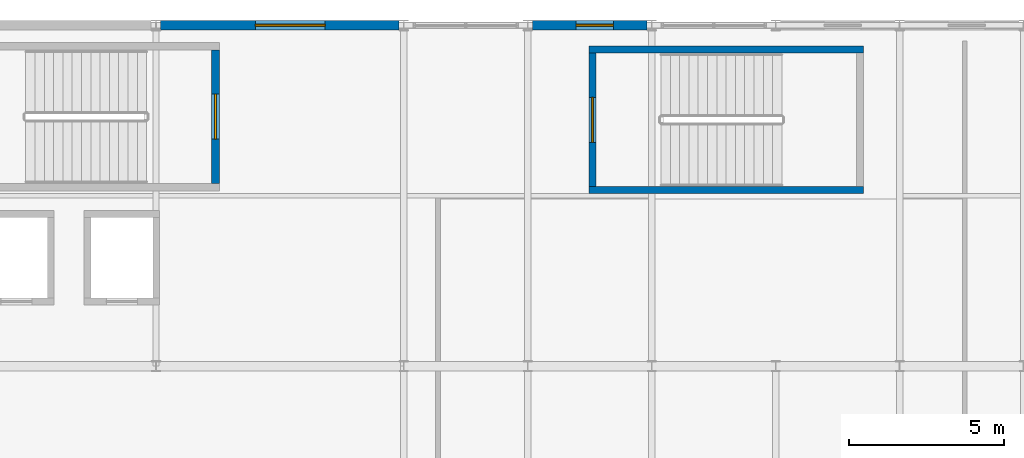
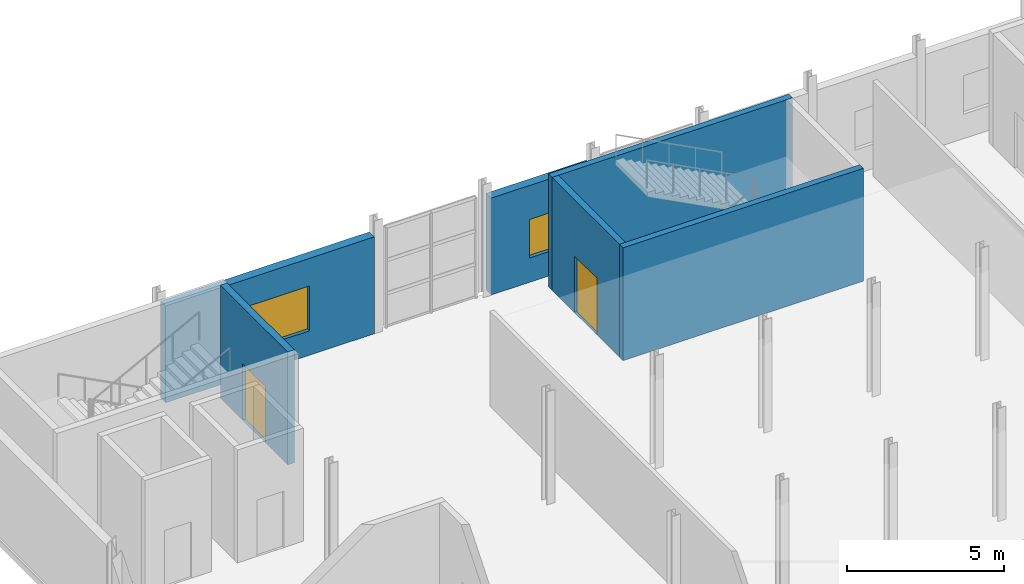
# One storey, part 140 of 153: 6 walls, 2 doors, 2 windows, 4 openings.
"""IFC4 building model written with IfcOpenShell, lengths in metres."""

from ifc_helpers import new_model, si_unit, derived_unit, direction, frame, frame_2d, origin, place, context, subcontext, project, spatial, rectangle, extrude, material, layer, layer_set, type_object, element, fill, save


model = new_model("IFC4")

# Units and contexts
model_context = context("Model", 3, precision=1e-05, world=origin(), true_north=direction((0.0, 1.0)))
body_context = subcontext(model_context, "Body", "Model", "MODEL_VIEW")
ifc_project = project(units=[si_unit("LENGTHUNIT", "METRE"), si_unit("AREAUNIT", "SQUARE_METRE"), si_unit("VOLUMEUNIT", "CUBIC_METRE"), si_unit("PLANEANGLEUNIT", "RADIAN"), si_unit("MASSUNIT", "GRAM", prefix="KILO"), derived_unit("THERMALTRANSMITTANCEUNIT", [(si_unit("POWERUNIT", "WATT"), 1), (si_unit("LENGTHUNIT", "METRE"), -2), (si_unit("THERMODYNAMICTEMPERATUREUNIT", "KELVIN"), -1)])], contexts=[model_context])

# Site, building, storey
site_placement = place(None, origin())
site = spatial("IfcSite", under=ifc_project, at=site_placement, CompositionType="ELEMENT")
building_placement = place(site_placement, origin())
building = spatial("IfcBuilding", under=site, at=building_placement, Name="Keldorne Ridge Multi-Sports Centre", CompositionType="ELEMENT")
storey_placement = place(building_placement, frame((0.0, 0.0, 9.60009765625)))
storey = spatial("IfcBuildingStorey", under=building, at=storey_placement, Name="L02", CompositionType="ELEMENT", Elevation=9.60009765625)

# Wall, opening, window
ifc_material_1 = material(Name="Precast concrete C40/50", Category="concrete")
ifc_layer_1 = layer(ifc_material_1, 0.320068359375)
ifc_layer_set_1 = layer_set([ifc_layer_1], Name="Precast concrete C40/50")
wall_type_1 = type_object("IfcWallType", Name="WAL-PR-W1", PredefinedType="STANDARD", material=ifc_layer_set_1)
wall_1_placement = place(storey_placement, frame((119.847900390625, 117.0, 0.0), z_axis=(0.0, 0.0, 1.0), x_axis=(-1.0, 0.0, 0.0)))
wall_1 = element("IfcWall", 1, at=wall_1_placement, inside=storey, type_object=wall_type_1, Name="East Wing L02 north facade 2", PredefinedType="STANDARD", context=body_context, shape_type="SweptSolid", body=[
    extrude(rectangle(XDim=7.69580078125, YDim=0.320068359375, at=frame_2d((3.847900390625, 0.0))), origin(), (0.0, 0.0, 1.0), 3.77490234375),
])
opening_1_placement = place(wall_1_placement, frame((2.387939453125, 0.0, 0.949951171875)))
opening_1 = element("IfcOpeningElement", 2, at=opening_1_placement, cuts=wall_1, Name="Opening W-11", PredefinedType="OPENING", context=body_context, shape_type="SweptSolid", body=[
    extrude(rectangle(XDim=2.25, YDim=1.75, at=frame_2d((1.125, 0.875))), frame((0.0, 0.169921875, 0.0), z_axis=(0.0, -1.0, 0.0), x_axis=(1.0, 0.0, 0.0)), (0.0, 0.0, 1.0), 0.340087890625),
])
ifc_material_2 = material(Name="Anodized aluminium", Category="aluminium")
window_type_1 = type_object("IfcWindowType", Name="WIN-W-11", PartitioningType="DOUBLE_PANEL_VERTICAL", PredefinedType="WINDOW", material=ifc_material_2)
window_1_placement = place(opening_1_placement, origin())
window_1 = element("IfcWindow", 3, at=window_1_placement, inside=storey, type_object=window_type_1, Name="East Wing L02 north window W-079", OverallHeight=1.75, OverallWidth=2.25, PartitioningType="SINGLE_PANEL", PredefinedType="WINDOW", context=body_context, shape_type="SweptSolid", body=[
    extrude(rectangle(XDim=2.25, YDim=1.75, at=frame_2d((1.125, 0.875))), frame((0.0, 0.030029296875, 0.0), z_axis=(0.0, -1.0, 0.0), x_axis=(1.0, 0.0, 0.0)), (0.0, 0.0, 1.0), 0.06005859375),
])
fill(opening_1, window_1)

wall_2_placement = place(storey_placement, frame((127.847900390625, 117.0, 0.0), z_axis=(0.0, 0.0, 1.0), x_axis=(-1.0, 0.0, 0.0)))
wall_2 = element("IfcWall", 4, at=wall_2_placement, inside=storey, type_object=wall_type_1, Name="East Wing L02 north facade 4", PredefinedType="STANDARD", context=body_context, shape_type="SweptSolid", body=[
    extrude(rectangle(XDim=3.69580078125, YDim=0.320068359375, at=frame_2d((1.847900390625, 0.0))), origin(), (0.0, 0.0, 1.0), 3.77490234375),
])
opening_2_placement = place(wall_2_placement, frame((1.087890625, 0.0, 0.949951171875)))
opening_2 = element("IfcOpeningElement", 5, at=opening_2_placement, cuts=wall_2, Name="Opening W-03", PredefinedType="OPENING", context=body_context, shape_type="SweptSolid", body=[
    extrude(rectangle(XDim=1.199951171875, YDim=1.5, at=frame_2d((0.60009765625, 0.75))), frame((0.0, 0.169921875, 0.0), z_axis=(0.0, -1.0, 0.0), x_axis=(1.0, 0.0, 0.0)), (0.0, 0.0, 1.0), 0.340087890625),
])
window_type_2 = type_object("IfcWindowType", Name="WIN-W-03", PartitioningType="SINGLE_PANEL", PredefinedType="WINDOW", material=ifc_material_2)
window_2_placement = place(opening_2_placement, origin())
window_2 = element("IfcWindow", 6, at=window_2_placement, inside=storey, type_object=window_type_2, Name="East Wing L02 north window W-080", OverallHeight=1.5, OverallWidth=1.199951171875, PartitioningType="SINGLE_PANEL", PredefinedType="WINDOW", context=body_context, shape_type="SweptSolid", body=[
    extrude(rectangle(XDim=1.199951171875, YDim=1.5, at=frame_2d((0.60009765625, 0.75))), frame((0.0, 0.030029296875, 0.0), z_axis=(0.0, -1.0, 0.0), x_axis=(1.0, 0.0, 0.0)), (0.0, 0.0, 1.0), 0.06005859375),
])
fill(opening_2, window_2)

# Wall, opening, door
ifc_material_3 = material(Name="Concrete C40/50", Category="concrete")
ifc_layer_2 = layer(ifc_material_3, 0.25)
ifc_layer_set_2 = layer_set([ifc_layer_2], Name="Concrete C40/50")
wall_type_2 = type_object("IfcWallType", Name="WAL-SW01", PredefinedType="SHEAR", material=ifc_layer_set_2)
wall_3_placement = place(storey_placement, frame((113.925048828125, 111.89990234375, 0.0), z_axis=(0.0, 0.0, 1.0), x_axis=(0.0, 1.0, 0.0)))
wall_3 = element("IfcWall", 7, at=wall_3_placement, inside=storey, type_object=wall_type_2, Name="Stair ST-01 shaft wall L02 NEAR", PredefinedType="SHEAR", context=body_context, shape_type="SweptSolid", body=[
    extrude(rectangle(XDim=4.300048828125, YDim=0.25, at=frame_2d((2.14990234375, 0.0))), origin(), (0.0, 0.0, 1.0), 4.39990234375),
])
opening_3_placement = place(wall_3_placement, frame((1.425048828125, 0.0, 0.0)))
opening_3 = element("IfcOpeningElement", 8, at=opening_3_placement, cuts=wall_3, Name="Opening D-05", PredefinedType="OPENING", context=body_context, shape_type="SweptSolid", body=[
    extrude(rectangle(XDim=1.449951171875, YDim=2.199951171875, at=frame_2d((0.72509765625, 1.10009765625))), frame((0.0, 0.135009765625, 0.0), z_axis=(0.0, -1.0, 0.0), x_axis=(1.0, 0.0, 0.0)), (0.0, 0.0, 1.0), 0.27001953125),
])
ifc_material_4 = material(Name="Steel fire-resisting pair", Category="steel")
door_type = type_object("IfcDoorType", Name="DR-D-05", OperationType="NOTDEFINED", PredefinedType="DOOR", material=ifc_material_4)
door_1_placement = place(opening_3_placement, origin())
door_1 = element("IfcDoor", 9, at=door_1_placement, inside=storey, type_object=door_type, Name="Stair ST-01 L02 fire door D-004", OperationType="DOUBLE_DOOR_SINGLE_SWING", OverallHeight=2.199951171875, OverallWidth=1.449951171875, PredefinedType="DOOR", context=body_context, shape_type="SweptSolid", body=[
    extrude(rectangle(XDim=1.449951171875, YDim=2.199951171875, at=frame_2d((0.72509765625, 1.10009765625))), frame((0.0, 0.02490234375, 0.0), z_axis=(0.0, -1.0, 0.0), x_axis=(1.0, 0.0, 0.0)), (0.0, 0.0, 1.0), 0.050048828125),
])
fill(opening_3, door_1)

ifc_layer_3 = layer(ifc_material_3, 0.22998046875)
ifc_layer_set_3 = layer_set([ifc_layer_3], Name="Concrete C40/50")
wall_type_3 = type_object("IfcWallType", Name="WAL-SW02", PredefinedType="SHEAR", material=ifc_layer_set_3)
wall_4_placement = place(storey_placement, frame((126.0849609375, 111.800048828125, 0.0), z_axis=(0.0, 0.0, 1.0), x_axis=(0.0, 1.0, 0.0)))
wall_4 = element("IfcWall", 10, at=wall_4_placement, inside=storey, type_object=wall_type_3, Name="Stair ST-10 shaft wall L02 NEAR", PredefinedType="SHEAR", context=body_context, shape_type="SweptSolid", body=[
    extrude(rectangle(XDim=4.300048828125, YDim=0.22998046875, at=frame_2d((2.14990234375, 0.0))), origin(), (0.0, 0.0, 1.0), 4.39990234375),
])
opening_4_placement = place(wall_4_placement, frame((1.425048828125, 0.0, 0.0)))
opening_4 = element("IfcOpeningElement", 11, at=opening_4_placement, cuts=wall_4, Name="Opening D-05", PredefinedType="OPENING", context=body_context, shape_type="SweptSolid", body=[
    extrude(rectangle(XDim=1.449951171875, YDim=2.199951171875, at=frame_2d((0.72509765625, 1.10009765625))), frame((0.0, 0.125, 0.0), z_axis=(0.0, -1.0, 0.0), x_axis=(1.0, 0.0, 0.0)), (0.0, 0.0, 1.0), 0.25),
])
door_2_placement = place(opening_4_placement, origin())
door_2 = element("IfcDoor", 12, at=door_2_placement, inside=storey, type_object=door_type, Name="Stair ST-10 L02 fire door D-041", OperationType="DOUBLE_DOOR_SINGLE_SWING", OverallHeight=2.199951171875, OverallWidth=1.449951171875, PredefinedType="DOOR", context=body_context, shape_type="SweptSolid", body=[
    extrude(rectangle(XDim=1.449951171875, YDim=2.199951171875, at=frame_2d((0.72509765625, 1.10009765625))), frame((0.0, 0.02490234375, 0.0), z_axis=(0.0, -1.0, 0.0), x_axis=(1.0, 0.0, 0.0)), (0.0, 0.0, 1.0), 0.050048828125),
])
fill(opening_4, door_2)

# Walls
for number, where, z_axis, x_axis, name in (
    (13, (125.969970703125, 111.68505859375, 0.0), (0.0, 0.0, 1.0), (1.0, 0.0, 0.0), "Stair ST-10 shaft wall L02 SOUTH"),
    (14, (134.830078125, 116.215087890625, 0.0), (0.0, 0.0, 1.0), (-1.0, 0.0, 0.0), "Stair ST-10 shaft wall L02 NORTH"),
):
    element("IfcWall", number, at=place(storey_placement, frame(where, z_axis=z_axis, x_axis=x_axis)), inside=storey, type_object=wall_type_3, Name=name, PredefinedType="SHEAR", context=body_context, shape_type="SweptSolid", body=[
        extrude(rectangle(XDim=8.860107421875, YDim=0.22998046875, at=frame_2d((4.43017578125, 0.0))), origin(), (0.0, 0.0, 1.0), 4.39990234375),
    ])

save(model, "model.ifc")
